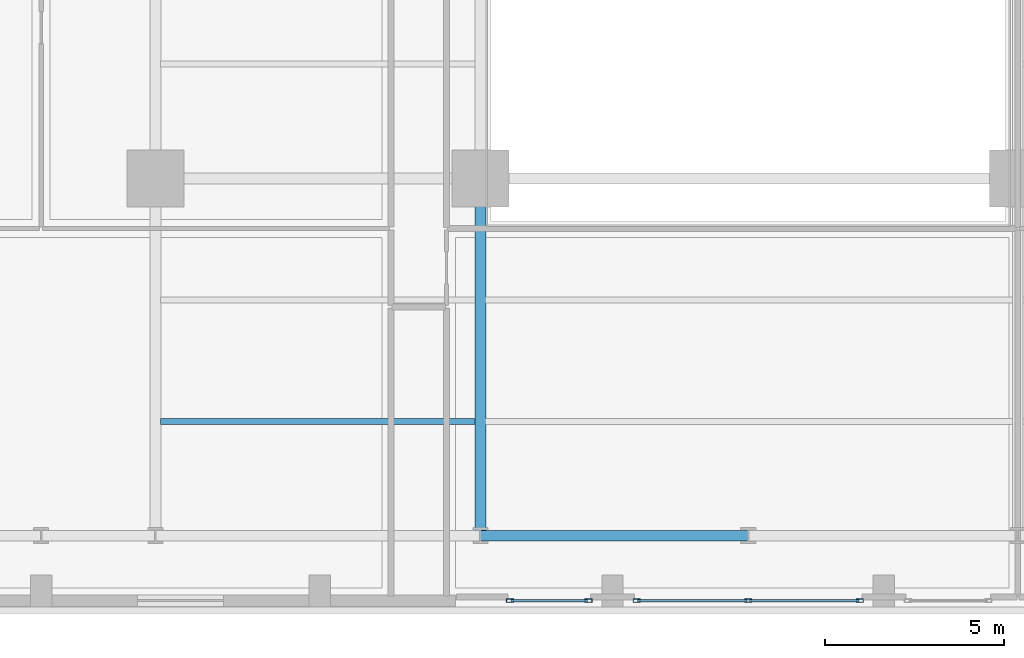
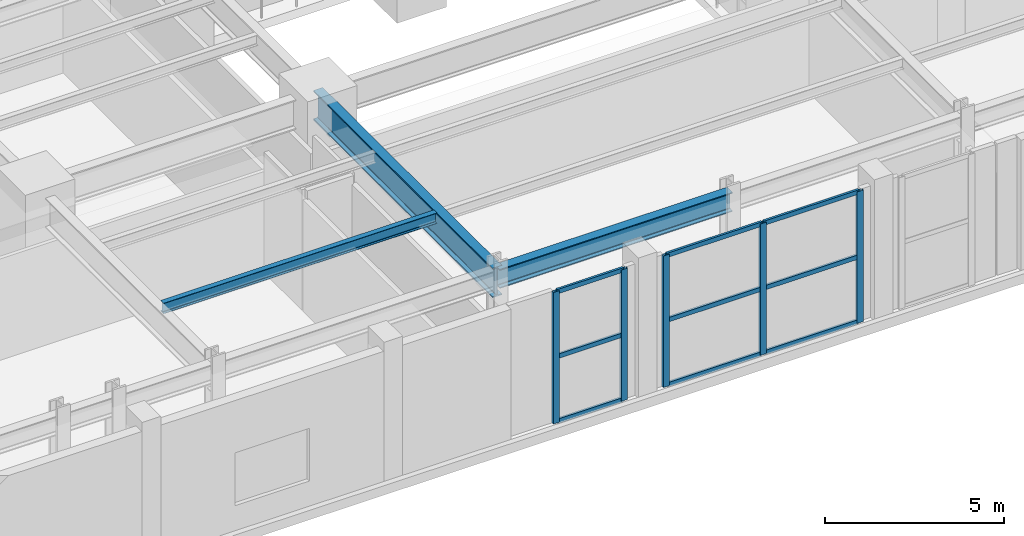
# One storey, part 2 of 15: 14 members, 3 beams, 2 elements without a shape of their own.
"""IFC4 building model written with IfcOpenShell, lengths in metres."""

from ifc_helpers import new_model, si_unit, direction, frame, origin, origin_2d, place, context, subcontext, project, spatial, hollow_rectangle, i_section, extrude, material, layer, layer_set, material_profile, profile_set, type_object, element, aggregate, save


model = new_model("IFC4")

# Units and contexts
model_context = context("Model", 3, precision=1e-05, world=origin(), true_north=direction((0.0, 1.0)))
body_context = subcontext(model_context, "Body", "Model", "MODEL_VIEW")
ifc_project = project(units=[si_unit("LENGTHUNIT", "METRE"), si_unit("AREAUNIT", "SQUARE_METRE"), si_unit("VOLUMEUNIT", "CUBIC_METRE"), si_unit("PLANEANGLEUNIT", "RADIAN"), si_unit("MASSUNIT", "GRAM", prefix="KILO")], contexts=[model_context])

# Site, building, storey
site_placement = place(None, origin())
site = spatial("IfcSite", under=ifc_project, at=site_placement, CompositionType="ELEMENT")
building_placement = place(site_placement, origin())
building = spatial("IfcBuilding", under=site, at=building_placement, Name="Zarnavel Station Tower", CompositionType="ELEMENT")
storey_placement = place(building_placement, frame((0.0, 0.0, 24.199951171875)))
storey = spatial("IfcBuildingStorey", under=building, at=storey_placement, Name="L06", CompositionType="ELEMENT", Elevation=24.199951171875)

# Curtain wall, members
ifc_material_1 = material(Name="Aluminium Dark Anodised and Solar-Control Glass", Category="aluminium")
ifc_layer = layer(ifc_material_1, 0.179931640625)
ifc_layer_set = layer_set([ifc_layer], Name="CWS1")
curtain_wall_type = type_object("IfcCurtainWallType", Name="CWS1", PredefinedType="NOTDEFINED", material=ifc_layer_set)
curtain_wall_1_placement = place(storey_placement, origin())
curtain_wall_1 = element("IfcCurtainWall", 1, at=curtain_wall_1_placement, inside=storey, type_object=curtain_wall_type, Name="L06 Curtain Wall CWS1-L06-S-S1", PredefinedType="NOTDEFINED")
ifc_material_2 = material(Name="Steel S355J2 (Black Fluoropolymer Coated)", Category="steel")
ifc_material_profile_1 = material_profile(ifc_material_2, hollow_rectangle(XDim=0.10009765625, YDim=0.199951171875, WallThickness=0.008056640625, at=origin_2d()), Name="RHS200x100x8")
ifc_profile_set_1 = profile_set([ifc_material_profile_1], Name="Steel S355J2 (Black Fluoropolymer Coated)")
member_type_1 = type_object("IfcMemberType", Name="CWS1_MUL", PredefinedType="MULLION", material=ifc_profile_set_1)
member_1_placement = place(storey_placement, frame((22.1298828125, 3.780029296875, 0.0), z_axis=(0.0, 0.0, 1.0), x_axis=(0.0, 1.0, 0.0)))
member_1 = element("IfcMember", 2, at=member_1_placement, type_object=member_type_1, Name="CW1 mullion 1", PredefinedType="MULLION", context=body_context, shape_type="SweptSolid", body=[
    extrude(hollow_rectangle(XDim=0.10009765625, YDim=0.199951171875, WallThickness=0.008056640625, at=origin_2d()), origin(), (0.0, 0.0, 1.0), 4.47998046875),
])
member_2_placement = place(storey_placement, frame((24.325927734375, 3.780029296875, 0.0), z_axis=(0.0, 0.0, 1.0), x_axis=(0.0, 1.0, 0.0)))
member_2 = element("IfcMember", 3, at=member_2_placement, type_object=member_type_1, Name="CW1 mullion 2", PredefinedType="MULLION", context=body_context, shape_type="SweptSolid", body=[
    extrude(hollow_rectangle(XDim=0.10009765625, YDim=0.199951171875, WallThickness=0.008056640625, at=origin_2d()), origin(), (0.0, 0.0, 1.0), 4.47998046875),
])

curtain_wall_2_placement = place(storey_placement, origin())
curtain_wall_2 = element("IfcCurtainWall", 4, at=curtain_wall_2_placement, inside=storey, type_object=curtain_wall_type, Name="L06 Curtain Wall CWS1-L06-S-S2", PredefinedType="NOTDEFINED")
member_3_placement = place(storey_placement, frame((25.674072265625, 3.780029296875, 0.0), z_axis=(0.0, 0.0, 1.0), x_axis=(0.0, 1.0, 0.0)))
member_3 = element("IfcMember", 5, at=member_3_placement, type_object=member_type_1, Name="CW1 mullion 1", PredefinedType="MULLION", context=body_context, shape_type="SweptSolid", body=[
    extrude(hollow_rectangle(XDim=0.10009765625, YDim=0.199951171875, WallThickness=0.008056640625, at=origin_2d()), origin(), (0.0, 0.0, 1.0), 4.47998046875),
])
member_4_placement = place(storey_placement, frame((28.800048828125, 3.780029296875, 0.0), z_axis=(0.0, 0.0, 1.0), x_axis=(0.0, 1.0, 0.0)))
member_4 = element("IfcMember", 6, at=member_4_placement, type_object=member_type_1, Name="CW1 mullion 2", PredefinedType="MULLION", context=body_context, shape_type="SweptSolid", body=[
    extrude(hollow_rectangle(XDim=0.10009765625, YDim=0.199951171875, WallThickness=0.008056640625, at=origin_2d()), origin(), (0.0, 0.0, 1.0), 4.47998046875),
])
member_5_placement = place(storey_placement, frame((31.926025390625, 3.780029296875, 0.0), z_axis=(0.0, 0.0, 1.0), x_axis=(0.0, 1.0, 0.0)))
member_5 = element("IfcMember", 7, at=member_5_placement, type_object=member_type_1, Name="CW1 mullion 3", PredefinedType="MULLION", context=body_context, shape_type="SweptSolid", body=[
    extrude(hollow_rectangle(XDim=0.10009765625, YDim=0.199951171875, WallThickness=0.008056640625, at=origin_2d()), origin(), (0.0, 0.0, 1.0), 4.47998046875),
])

# Member
ifc_material_3 = material(Name="Steel S355J2 (Black Fluoropolymer Coated)", Category="steel")
ifc_material_profile_2 = material_profile(ifc_material_3, hollow_rectangle(XDim=0.074951171875, YDim=0.14990234375, WallThickness=0.00634765625, at=origin_2d()), Name="RHS150x75x6.3")
ifc_profile_set_2 = profile_set([ifc_material_profile_2], Name="Steel S355J2 (Black Fluoropolymer Coated)")
member_type_2 = type_object("IfcMemberType", Name="CWS1_TRN", PredefinedType="USERDEFINED", material=ifc_profile_set_2)
member_6_placement = place(storey_placement, frame((22.159912109375, 3.780029296875, 0.030029296875), z_axis=(1.0, 0.0, 0.0), x_axis=(0.0, 1.0, 0.0)))
member_6 = element("IfcMember", 8, at=member_6_placement, type_object=member_type_2, Name="CW1 transom 1.1", ObjectType="TRANSOM", PredefinedType="USERDEFINED", context=body_context, shape_type="SweptSolid", body=[
    extrude(hollow_rectangle(XDim=0.074951171875, YDim=0.14990234375, WallThickness=0.00634765625, at=origin_2d()), origin(), (0.0, 0.0, 1.0), 2.135986328125),
])

member_7_placement = place(storey_placement, frame((22.159912109375, 3.780029296875, 2.239990234375), z_axis=(1.0, 0.0, 0.0), x_axis=(0.0, 1.0, 0.0)))
member_7 = element("IfcMember", 9, at=member_7_placement, type_object=member_type_2, Name="CW1 transom 1.2", ObjectType="TRANSOM", PredefinedType="USERDEFINED", context=body_context, shape_type="SweptSolid", body=[
    extrude(hollow_rectangle(XDim=0.074951171875, YDim=0.14990234375, WallThickness=0.00634765625, at=origin_2d()), origin(), (0.0, 0.0, 1.0), 2.135986328125),
])

member_8_placement = place(storey_placement, frame((22.159912109375, 3.780029296875, 4.449951171875), z_axis=(1.0, 0.0, 0.0), x_axis=(0.0, 1.0, 0.0)))
member_8 = element("IfcMember", 10, at=member_8_placement, type_object=member_type_2, Name="CW1 transom 1.3", ObjectType="TRANSOM", PredefinedType="USERDEFINED", context=body_context, shape_type="SweptSolid", body=[
    extrude(hollow_rectangle(XDim=0.074951171875, YDim=0.14990234375, WallThickness=0.00634765625, at=origin_2d()), origin(), (0.0, 0.0, 1.0), 2.135986328125),
])

aggregate(curtain_wall_1, [member_1, member_2, member_6, member_7, member_8])

member_9_placement = place(storey_placement, frame((25.7041015625, 3.780029296875, 0.030029296875), z_axis=(1.0, 0.0, 0.0), x_axis=(0.0, 1.0, 0.0)))
member_9 = element("IfcMember", 11, at=member_9_placement, type_object=member_type_2, Name="CW1 transom 1.1", ObjectType="TRANSOM", PredefinedType="USERDEFINED", context=body_context, shape_type="SweptSolid", body=[
    extrude(hollow_rectangle(XDim=0.074951171875, YDim=0.14990234375, WallThickness=0.00634765625, at=origin_2d()), origin(), (0.0, 0.0, 1.0), 3.06591796875),
])

member_10_placement = place(storey_placement, frame((25.7041015625, 3.780029296875, 2.239990234375), z_axis=(1.0, 0.0, 0.0), x_axis=(0.0, 1.0, 0.0)))
member_10 = element("IfcMember", 12, at=member_10_placement, type_object=member_type_2, Name="CW1 transom 1.2", ObjectType="TRANSOM", PredefinedType="USERDEFINED", context=body_context, shape_type="SweptSolid", body=[
    extrude(hollow_rectangle(XDim=0.074951171875, YDim=0.14990234375, WallThickness=0.00634765625, at=origin_2d()), origin(), (0.0, 0.0, 1.0), 3.06591796875),
])

member_11_placement = place(storey_placement, frame((25.7041015625, 3.780029296875, 4.449951171875), z_axis=(1.0, 0.0, 0.0), x_axis=(0.0, 1.0, 0.0)))
member_11 = element("IfcMember", 13, at=member_11_placement, type_object=member_type_2, Name="CW1 transom 1.3", ObjectType="TRANSOM", PredefinedType="USERDEFINED", context=body_context, shape_type="SweptSolid", body=[
    extrude(hollow_rectangle(XDim=0.074951171875, YDim=0.14990234375, WallThickness=0.00634765625, at=origin_2d()), origin(), (0.0, 0.0, 1.0), 3.06591796875),
])

member_12_placement = place(storey_placement, frame((28.830078125, 3.780029296875, 0.030029296875), z_axis=(1.0, 0.0, 0.0), x_axis=(0.0, 1.0, 0.0)))
member_12 = element("IfcMember", 14, at=member_12_placement, type_object=member_type_2, Name="CW1 transom 2.1", ObjectType="TRANSOM", PredefinedType="USERDEFINED", context=body_context, shape_type="SweptSolid", body=[
    extrude(hollow_rectangle(XDim=0.074951171875, YDim=0.14990234375, WallThickness=0.00634765625, at=origin_2d()), origin(), (0.0, 0.0, 1.0), 3.06591796875),
])

member_13_placement = place(storey_placement, frame((28.830078125, 3.780029296875, 2.239990234375), z_axis=(1.0, 0.0, 0.0), x_axis=(0.0, 1.0, 0.0)))
member_13 = element("IfcMember", 15, at=member_13_placement, type_object=member_type_2, Name="CW1 transom 2.2", ObjectType="TRANSOM", PredefinedType="USERDEFINED", context=body_context, shape_type="SweptSolid", body=[
    extrude(hollow_rectangle(XDim=0.074951171875, YDim=0.14990234375, WallThickness=0.00634765625, at=origin_2d()), origin(), (0.0, 0.0, 1.0), 3.06591796875),
])

member_14_placement = place(storey_placement, frame((28.830078125, 3.780029296875, 4.449951171875), z_axis=(1.0, 0.0, 0.0), x_axis=(0.0, 1.0, 0.0)))
member_14 = element("IfcMember", 16, at=member_14_placement, type_object=member_type_2, Name="CW1 transom 2.3", ObjectType="TRANSOM", PredefinedType="USERDEFINED", context=body_context, shape_type="SweptSolid", body=[
    extrude(hollow_rectangle(XDim=0.074951171875, YDim=0.14990234375, WallThickness=0.00634765625, at=origin_2d()), origin(), (0.0, 0.0, 1.0), 3.06591796875),
])

aggregate(curtain_wall_2, [member_3, member_4, member_5, member_9, member_10, member_11, member_12, member_13, member_14])

# Beams
ifc_material_4 = material(Name="Steel S355J2", Category="steel")
ifc_material_profile_3 = material_profile(ifc_material_4, i_section(OverallWidth=0.300048828125, OverallDepth=0.64990234375, WebThickness=0.01611328125, FlangeThickness=0.031005859375, FilletRadius=0.027099609375, at=origin_2d()), Name="HEB650")
ifc_profile_set_3 = profile_set([ifc_material_profile_3], Name="Steel S355J2")
beam_type_1 = type_object("IfcBeamType", Name="FG_HEB650", PredefinedType="USERDEFINED", material=ifc_profile_set_3)
beam_1_placement = place(storey_placement, frame((21.300048828125, 5.60009765625, 4.155029296875), z_axis=(1.0, 0.0, 0.0), x_axis=(0.0, 1.0, 0.0)))
element("IfcBeam", 17, at=beam_1_placement, inside=storey, type_object=beam_type_1, Name="L06 EW Frame Girder 1-5", ObjectType="GIRDER", PredefinedType="USERDEFINED", context=body_context, shape_type="SweptSolid", body=[
    extrude(i_section(OverallWidth=0.300048828125, OverallDepth=0.64990234375, WebThickness=0.01611328125, FlangeThickness=0.031005859375, FilletRadius=0.027099609375, at=origin_2d()), origin(), (0.0, 0.0, 1.0), 7.5),
])
ifc_material_5 = material(Name="Steel S355J2", Category="steel")
ifc_material_profile_4 = material_profile(ifc_material_5, i_section(OverallWidth=0.169921875, OverallDepth=0.360107421875, WebThickness=0.008056640625, FlangeThickness=0.0126953125, FilletRadius=0.01806640625, at=origin_2d()), Name="IPE360")
ifc_profile_set_4 = profile_set([ifc_material_profile_4], Name="Steel S355J2")
beam_type_2 = type_object("IfcBeamType", Name="FJ_IPE360", PredefinedType="JOIST", material=ifc_profile_set_4)
beam_2_placement = place(storey_placement, frame((12.344970703125, 8.800048828125, 4.300048828125), z_axis=(1.0, 0.0, 0.0), x_axis=(0.0, 1.0, 0.0)))
element("IfcBeam", 18, at=beam_2_placement, inside=storey, type_object=beam_type_2, Name="L06 Floor Joist W1", PredefinedType="JOIST", context=body_context, shape_type="SweptSolid", body=[
    extrude(i_section(OverallWidth=0.169921875, OverallDepth=0.360107421875, WebThickness=0.008056640625, FlangeThickness=0.0126953125, FilletRadius=0.01806640625, at=origin_2d()), origin(), (0.0, 0.0, 1.0), 8.81005859375),
])
ifc_material_6 = material(Name="Steel S460M", Category="steel")
ifc_material_profile_5 = material_profile(ifc_material_6, i_section(OverallWidth=0.302001953125, OverallDepth=1.008056640625, WebThickness=0.02099609375, FlangeThickness=0.0400390625, FilletRadius=0.030029296875, at=origin_2d()), Name="HEM1000")
ifc_profile_set_5 = profile_set([ifc_material_profile_5], Name="Steel S460M")
beam_type_3 = type_object("IfcBeamType", Name="TG_HEM1000", PredefinedType="USERDEFINED", material=ifc_profile_set_5)
beam_3_placement = place(storey_placement, frame((21.300048828125, 5.60009765625, 3.97607421875), z_axis=(0.0, 1.0, 0.0), x_axis=(-1.0, 0.0, 0.0)))
element("IfcBeam", 19, at=beam_3_placement, inside=storey, type_object=beam_type_3, Name="L06 NS Girder South 2", ObjectType="GIRDER", PredefinedType="USERDEFINED", context=body_context, shape_type="SweptSolid", body=[
    extrude(i_section(OverallWidth=0.302001953125, OverallDepth=1.008056640625, WebThickness=0.02099609375, FlangeThickness=0.0400390625, FilletRadius=0.030029296875, at=origin_2d()), origin(), (0.0, 0.0, 1.0), 10.0),
])

save(model, "model.ifc")
